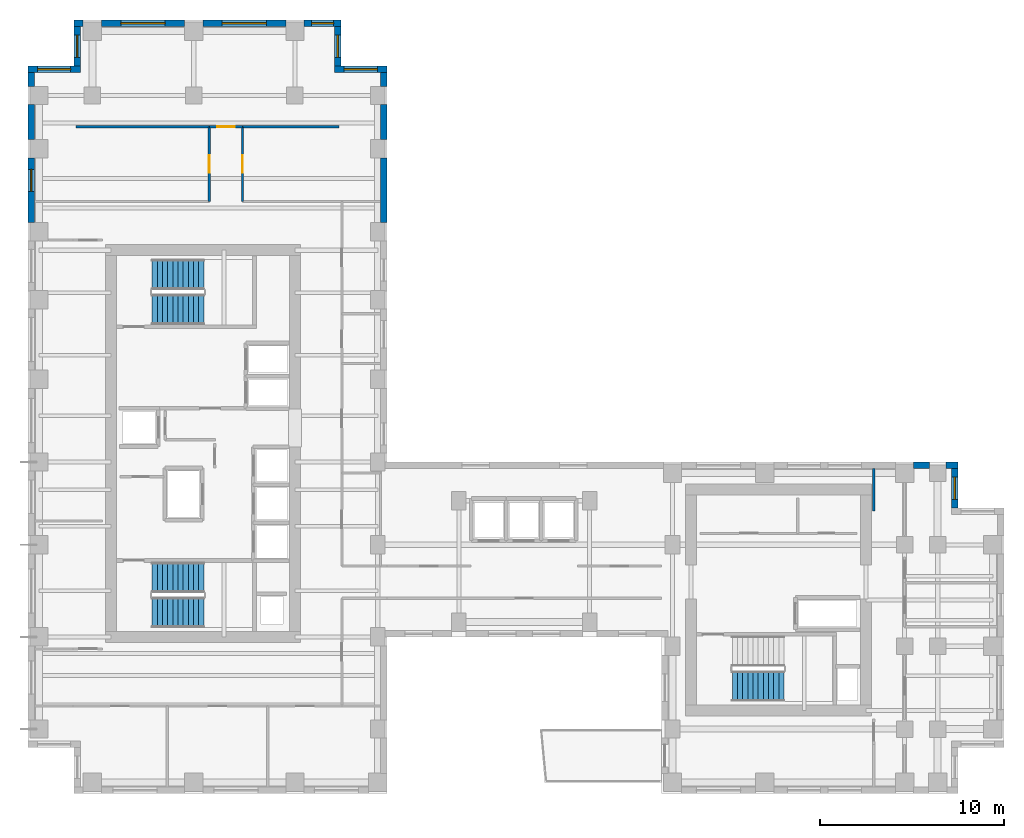
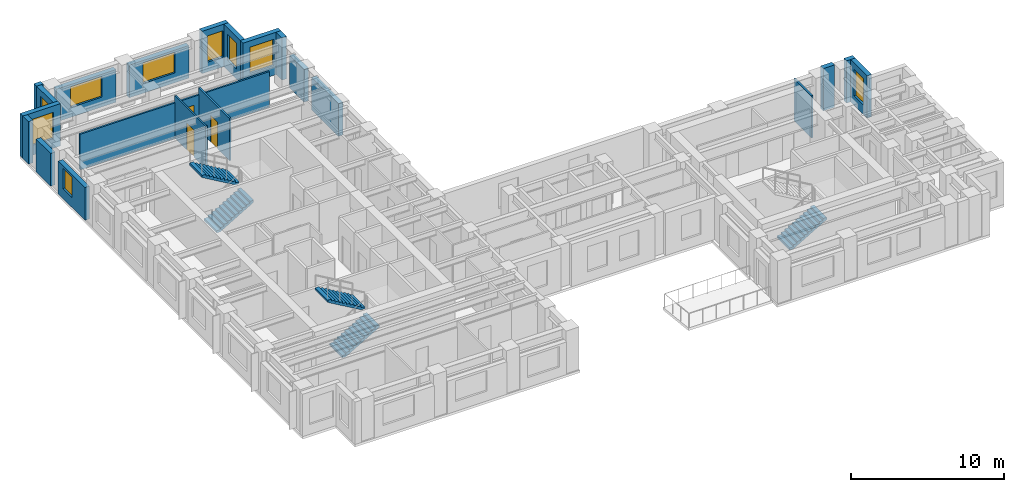
# One storey, part 8 of 12: 23 walls, 9 windows, 5 stair flights, 3 doors, 12 openings, 3 elements without a shape of their own.
"""IFC4 building model written with IfcOpenShell, lengths in metres."""

from ifc_helpers import new_model, si_unit, direction, frame, frame_2d, origin, place, context, subcontext, project, spatial, polyline, rectangle, outline, extrude, source, transform, mapped, material, layer, layer_set, type_object, element, fill, aggregate, save


model = new_model("IFC4")

# Units and contexts
model_context = context("Model", 3, precision=1e-05, world=origin(), true_north=direction((0.0, 1.0)))
body_context = subcontext(model_context, "Body", "Model", "MODEL_VIEW")
ifc_project = project(units=[si_unit("LENGTHUNIT", "METRE"), si_unit("AREAUNIT", "SQUARE_METRE"), si_unit("VOLUMEUNIT", "CUBIC_METRE"), si_unit("PLANEANGLEUNIT", "RADIAN"), si_unit("MASSUNIT", "GRAM", prefix="KILO")], contexts=[model_context])

# Site, building, storey
site_placement = place(None, origin())
site = spatial("IfcSite", under=ifc_project, at=site_placement, CompositionType="ELEMENT")
building_placement = place(site_placement, origin())
building = spatial("IfcBuilding", under=site, at=building_placement, Name="Kharzan Plaza Tower", CompositionType="ELEMENT")
storey_placement = place(building_placement, frame((0.0, 0.0, 164.699951171875)))
storey = spatial("IfcBuildingStorey", under=building, at=storey_placement, Name="L44", CompositionType="ELEMENT", Elevation=164.699951171875)

# Wall, opening, window
ifc_material_1 = material(Name="Concrete C40/50", Category="concrete")
ifc_layer_1 = layer(ifc_material_1, 0.35009765625)
ifc_layer_set_1 = layer_set([ifc_layer_1], Name="Concrete C40/50")
wall_type_1 = type_object("IfcWallType", Name="WL-EXT-MAS-Z3", PredefinedType="SOLIDWALL", material=ifc_layer_set_1)
wall_1_placement = place(storey_placement, frame((19.5, 39.324951171875, 0.0), z_axis=(0.0, 0.0, 1.0), x_axis=(-1.0, 0.0, 0.0)))
wall_1 = element("IfcWall", 1, at=wall_1_placement, inside=storey, type_object=wall_type_1, Name="L44 Masonry-Frame Exterior Wall 01", PredefinedType="SOLIDWALL", context=body_context, shape_type="SweptSolid", body=[
    extrude(rectangle(XDim=2.85009765625, YDim=0.35009765625, at=frame_2d((1.425048828125, 0.0))), origin(), (0.0, 0.0, 1.0), 3.385009765625),
])
opening_1_placement = place(wall_1_placement, frame((0.52490234375, 0.0, 0.780029296875)))
opening_1 = element("IfcOpeningElement", 2, at=opening_1_placement, cuts=wall_1, Name="Opening W1", PredefinedType="OPENING", context=body_context, shape_type="SweptSolid", body=[
    extrude(rectangle(XDim=1.800048828125, YDim=2.10009765625, at=frame_2d((0.89990234375, 1.050048828125))), frame((0.0, 0.18505859375, 0.0), z_axis=(0.0, -1.0, 0.0), x_axis=(1.0, 0.0, 0.0)), (0.0, 0.0, 1.0), 0.3701171875),
])
ifc_material_2 = material(Name="Low-E Double Glazing", Category="glass")
window_type_1 = type_object("IfcWindowType", Name="WN-REC-1800x2100", PartitioningType="SINGLE_PANEL", PredefinedType="WINDOW", material=ifc_material_2)
shared_shape_1 = source(origin(), body_context, "Body", "SweptSolid", [
    extrude(rectangle(XDim=1.800048828125, YDim=2.10009765625, at=frame_2d((0.89990234375, 1.050048828125))), frame((0.0, 0.030029296875, 0.0), z_axis=(0.0, -1.0, 0.0), x_axis=(1.0, 0.0, 0.0)), (0.0, 0.0, 1.0), 0.06005859375),
])
window_1_placement = place(opening_1_placement, origin())
window_1 = element("IfcWindow", 3, at=window_1_placement, inside=storey, type_object=window_type_1, Name="L44 Recessed Solar-Control Window 01-1", OverallHeight=2.10009765625, OverallWidth=1.800048828125, PartitioningType="SINGLE_PANEL", PredefinedType="WINDOW", context=body_context, shape_type="MappedRepresentation", body=[
    mapped(shared_shape_1, transform((0.0, 0.0, 0.0), x_axis=(1.0, 0.0, 0.0), y_axis=(0.0, 1.0, 0.0), z_axis=(0.0, 0.0, 1.0))),
])
fill(opening_1, window_1)

wall_2_placement = place(storey_placement, frame((16.824951171875, 39.498046875, 0.0), z_axis=(0.0, 0.0, 1.0), x_axis=(0.0, 1.0, 0.0)))
wall_2 = element("IfcWall", 4, at=wall_2_placement, inside=storey, type_object=wall_type_1, Name="L44 Masonry-Frame Exterior Wall 02", PredefinedType="SOLIDWALL", context=body_context, shape_type="SweptSolid", body=[
    extrude(rectangle(XDim=2.154052734375, YDim=0.35009765625, at=frame_2d((1.0771484375, 0.0))), origin(), (0.0, 0.0, 1.0), 3.385009765625),
])
opening_2_placement = place(wall_2_placement, frame((0.47705078125, 0.0, 0.780029296875)))
opening_2 = element("IfcOpeningElement", 5, at=opening_2_placement, cuts=wall_2, Name="Opening W3", PredefinedType="OPENING", context=body_context, shape_type="SweptSolid", body=[
    extrude(rectangle(XDim=1.199951171875, YDim=2.10009765625, at=frame_2d((0.60009765625, 1.050048828125))), frame((0.0, 0.18505859375, 0.0), z_axis=(0.0, -1.0, 0.0), x_axis=(1.0, 0.0, 0.0)), (0.0, 0.0, 1.0), 0.3701171875),
])
window_type_2 = type_object("IfcWindowType", Name="WN-REC-1200x2100", PartitioningType="SINGLE_PANEL", PredefinedType="WINDOW", material=ifc_material_2)
shared_shape_2 = source(origin(), body_context, "Body", "SweptSolid", [
    extrude(rectangle(XDim=1.199951171875, YDim=2.10009765625, at=frame_2d((0.60009765625, 1.050048828125))), frame((0.0, 0.030029296875, 0.0), z_axis=(0.0, -1.0, 0.0), x_axis=(1.0, 0.0, 0.0)), (0.0, 0.0, 1.0), 0.06005859375),
])
window_2_placement = place(opening_2_placement, origin())
window_2 = element("IfcWindow", 6, at=window_2_placement, inside=storey, type_object=window_type_2, Name="L44 Recessed Solar-Control Window 02-1", OverallHeight=2.10009765625, OverallWidth=1.199951171875, PartitioningType="SINGLE_PANEL", PredefinedType="WINDOW", context=body_context, shape_type="MappedRepresentation", body=[
    mapped(shared_shape_2, transform((0.0, 0.0, 0.0), x_axis=(1.0, 0.0, 0.0), y_axis=(0.0, 1.0, 0.0), z_axis=(0.0, 0.0, 1.0))),
])
fill(opening_2, window_2)

wall_3_placement = place(storey_placement, frame((17.0, 41.824951171875, 0.0), z_axis=(0.0, 0.0, 1.0), x_axis=(-1.0, 0.0, 0.0)))
wall_3 = element("IfcWall", 7, at=wall_3_placement, inside=storey, type_object=wall_type_1, Name="L44 Masonry-Frame Exterior Wall 03", PredefinedType="SOLIDWALL", context=body_context, shape_type="SweptSolid", body=[
    extrude(rectangle(XDim=2.001953125, YDim=0.35009765625, at=frame_2d((1.0009765625, 0.0))), origin(), (0.0, 0.0, 1.0), 3.385009765625),
])
opening_3_placement = place(wall_3_placement, frame((0.40087890625, 0.0, 0.780029296875)))
opening_3 = element("IfcOpeningElement", 8, at=opening_3_placement, cuts=wall_3, Name="Opening W3", PredefinedType="OPENING", context=body_context, shape_type="SweptSolid", body=[
    extrude(rectangle(XDim=1.199951171875, YDim=2.10009765625, at=frame_2d((0.60009765625, 1.050048828125))), frame((0.0, 0.18505859375, 0.0), z_axis=(0.0, -1.0, 0.0), x_axis=(1.0, 0.0, 0.0)), (0.0, 0.0, 1.0), 0.3701171875),
])
window_3_placement = place(opening_3_placement, origin())
window_3 = element("IfcWindow", 9, at=window_3_placement, inside=storey, type_object=window_type_2, Name="L44 Recessed Solar-Control Window 03-1", OverallHeight=2.10009765625, OverallWidth=1.199951171875, PartitioningType="SINGLE_PANEL", PredefinedType="WINDOW", context=body_context, shape_type="MappedRepresentation", body=[
    mapped(shared_shape_2, transform((0.0, 0.0, 0.0), x_axis=(1.0, 0.0, 0.0), y_axis=(0.0, 1.0, 0.0), z_axis=(0.0, 0.0, 1.0))),
])
fill(opening_3, window_3)

wall_4_placement = place(storey_placement, frame((14.001953125, 41.824951171875, 0.0), z_axis=(0.0, 0.0, 1.0), x_axis=(-1.0, 0.0, 0.0)))
wall_4 = element("IfcWall", 10, at=wall_4_placement, inside=storey, type_object=wall_type_1, Name="L44 Masonry-Frame Exterior Wall 04", PredefinedType="SOLIDWALL", context=body_context, shape_type="SweptSolid", body=[
    extrude(rectangle(XDim=4.50390625, YDim=0.35009765625, at=frame_2d((2.251953125, 0.0))), origin(), (0.0, 0.0, 1.0), 2.612060546875),
])
opening_4_placement = place(wall_4_placement, frame((1.052001953125, 0.0, 0.780029296875)))
opening_4 = element("IfcOpeningElement", 11, at=opening_4_placement, cuts=wall_4, Name="Opening W2", PredefinedType="OPENING", context=body_context, shape_type="SweptSolid", body=[
    extrude(rectangle(XDim=2.39990234375, YDim=1.652099609375, at=frame_2d((1.199951171875, 0.826171875))), frame((0.0, 0.18505859375, 0.0), z_axis=(0.0, -1.0, 0.0), x_axis=(1.0, 0.0, 0.0)), (0.0, 0.0, 1.0), 0.3701171875),
])
window_type_3 = type_object("IfcWindowType", Name="WN-REC-2400x2100", PartitioningType="SINGLE_PANEL", PredefinedType="WINDOW", material=ifc_material_2)
shared_shape_3 = source(origin(), body_context, "Body", "SweptSolid", [
    extrude(rectangle(XDim=2.39990234375, YDim=1.652099609375, at=frame_2d((1.199951171875, 0.826171875))), frame((0.0, 0.030029296875, 0.0), z_axis=(0.0, -1.0, 0.0), x_axis=(1.0, 0.0, 0.0)), (0.0, 0.0, 1.0), 0.06005859375),
])
window_4_placement = place(opening_4_placement, origin())
window_4 = element("IfcWindow", 12, at=window_4_placement, inside=storey, type_object=window_type_3, Name="L44 Wide Recessed Solar-Control Window 04-1", OverallHeight=1.652099609375, OverallWidth=2.39990234375, PartitioningType="SINGLE_PANEL", PredefinedType="WINDOW", context=body_context, shape_type="MappedRepresentation", body=[
    mapped(shared_shape_3, transform((0.0, 0.0, 0.0), x_axis=(1.0, 0.0, 0.0), y_axis=(0.0, 1.0, 0.0), z_axis=(0.0, 0.0, 1.0))),
])
fill(opening_4, window_4)

wall_5_placement = place(storey_placement, frame((8.501953125, 41.824951171875, 0.0), z_axis=(0.0, 0.0, 1.0), x_axis=(-1.0, 0.0, 0.0)))
wall_5 = element("IfcWall", 13, at=wall_5_placement, inside=storey, type_object=wall_type_1, Name="L44 Masonry-Frame Exterior Wall 05", PredefinedType="SOLIDWALL", context=body_context, shape_type="SweptSolid", body=[
    extrude(rectangle(XDim=4.50390625, YDim=0.35009765625, at=frame_2d((2.251953125, 0.0))), origin(), (0.0, 0.0, 1.0), 2.612060546875),
])
opening_5_placement = place(wall_5_placement, frame((1.052001953125, 0.0, 0.780029296875)))
opening_5 = element("IfcOpeningElement", 14, at=opening_5_placement, cuts=wall_5, Name="Opening W2", PredefinedType="OPENING", context=body_context, shape_type="SweptSolid", body=[
    extrude(rectangle(XDim=2.39990234375, YDim=1.652099609375, at=frame_2d((1.199951171875, 0.826171875))), frame((0.0, 0.18505859375, 0.0), z_axis=(0.0, -1.0, 0.0), x_axis=(1.0, 0.0, 0.0)), (0.0, 0.0, 1.0), 0.3701171875),
])
window_5_placement = place(opening_5_placement, origin())
window_5 = element("IfcWindow", 15, at=window_5_placement, inside=storey, type_object=window_type_3, Name="L44 Wide Recessed Solar-Control Window 05-1", OverallHeight=1.652099609375, OverallWidth=2.39990234375, PartitioningType="SINGLE_PANEL", PredefinedType="WINDOW", context=body_context, shape_type="MappedRepresentation", body=[
    mapped(shared_shape_3, transform((0.0, 0.0, 0.0), x_axis=(1.0, 0.0, 0.0), y_axis=(0.0, 1.0, 0.0), z_axis=(0.0, 0.0, 1.0))),
])
fill(opening_5, window_5)

wall_6_placement = place(storey_placement, frame((2.675048828125, 41.652099609375, 0.0), z_axis=(0.0, 0.0, 1.0), x_axis=(0.0, -1.0, 0.0)))
wall_6 = element("IfcWall", 16, at=wall_6_placement, inside=storey, type_object=wall_type_1, Name="L44 Masonry-Frame Exterior Wall 07", PredefinedType="SOLIDWALL", context=body_context, shape_type="SweptSolid", body=[
    extrude(rectangle(XDim=2.154052734375, YDim=0.35009765625, at=frame_2d((1.0771484375, 0.0))), origin(), (0.0, 0.0, 1.0), 3.385009765625),
])
opening_6_placement = place(wall_6_placement, frame((0.47705078125, 0.0, 0.780029296875)))
opening_6 = element("IfcOpeningElement", 17, at=opening_6_placement, cuts=wall_6, Name="Opening W3", PredefinedType="OPENING", context=body_context, shape_type="SweptSolid", body=[
    extrude(rectangle(XDim=1.199951171875, YDim=2.10009765625, at=frame_2d((0.60009765625, 1.050048828125))), frame((0.0, 0.18505859375, 0.0), z_axis=(0.0, -1.0, 0.0), x_axis=(1.0, 0.0, 0.0)), (0.0, 0.0, 1.0), 0.3701171875),
])
window_6_placement = place(opening_6_placement, origin())
window_6 = element("IfcWindow", 18, at=window_6_placement, inside=storey, type_object=window_type_2, Name="L44 Recessed Solar-Control Window 07-1", OverallHeight=2.10009765625, OverallWidth=1.199951171875, PartitioningType="SINGLE_PANEL", PredefinedType="WINDOW", context=body_context, shape_type="MappedRepresentation", body=[
    mapped(shared_shape_2, transform((0.0, 0.0, 0.0), x_axis=(1.0, 0.0, 0.0), y_axis=(0.0, 1.0, 0.0), z_axis=(0.0, 0.0, 1.0))),
])
fill(opening_6, window_6)

wall_7_placement = place(storey_placement, frame((2.85009765625, 39.324951171875, 0.0), z_axis=(0.0, 0.0, 1.0), x_axis=(-1.0, 0.0, 0.0)))
wall_7 = element("IfcWall", 19, at=wall_7_placement, inside=storey, type_object=wall_type_1, Name="L44 Masonry-Frame Exterior Wall 08", PredefinedType="SOLIDWALL", context=body_context, shape_type="SweptSolid", body=[
    extrude(rectangle(XDim=2.85009765625, YDim=0.35009765625, at=frame_2d((1.425048828125, 0.0))), origin(), (0.0, 0.0, 1.0), 3.385009765625),
])
opening_7_placement = place(wall_7_placement, frame((0.52490234375, 0.0, 0.780029296875)))
opening_7 = element("IfcOpeningElement", 20, at=opening_7_placement, cuts=wall_7, Name="Opening W1", PredefinedType="OPENING", context=body_context, shape_type="SweptSolid", body=[
    extrude(rectangle(XDim=1.800048828125, YDim=2.10009765625, at=frame_2d((0.89990234375, 1.050048828125))), frame((0.0, 0.18505859375, 0.0), z_axis=(0.0, -1.0, 0.0), x_axis=(1.0, 0.0, 0.0)), (0.0, 0.0, 1.0), 0.3701171875),
])
window_7_placement = place(opening_7_placement, origin())
window_7 = element("IfcWindow", 21, at=window_7_placement, inside=storey, type_object=window_type_1, Name="L44 Recessed Solar-Control Window 08-1", OverallHeight=2.10009765625, OverallWidth=1.800048828125, PartitioningType="SINGLE_PANEL", PredefinedType="WINDOW", context=body_context, shape_type="MappedRepresentation", body=[
    mapped(shared_shape_1, transform((0.0, 0.0, 0.0), x_axis=(1.0, 0.0, 0.0), y_axis=(0.0, 1.0, 0.0), z_axis=(0.0, 0.0, 1.0))),
])
fill(opening_7, window_7)

wall_8_placement = place(storey_placement, frame((0.175048828125, 34.501953125, 0.0), z_axis=(0.0, 0.0, 1.0), x_axis=(0.0, -1.0, 0.0)))
wall_8 = element("IfcWall", 22, at=wall_8_placement, inside=storey, type_object=wall_type_1, Name="L44 Masonry-Frame Exterior Wall 11", PredefinedType="SOLIDWALL", context=body_context, shape_type="SweptSolid", body=[
    extrude(rectangle(XDim=3.50390625, YDim=0.35009765625, at=frame_2d((1.751953125, 0.0))), origin(), (0.0, 0.0, 1.0), 2.612060546875),
])
opening_8_placement = place(wall_8_placement, frame((0.611083984375, 0.0, 0.780029296875)))
opening_8 = element("IfcOpeningElement", 23, at=opening_8_placement, cuts=wall_8, Name="Opening W3", PredefinedType="OPENING", context=body_context, shape_type="SweptSolid", body=[
    extrude(rectangle(XDim=1.199951171875, YDim=1.652099609375, at=frame_2d((0.60009765625, 0.826171875))), frame((0.0, 0.18505859375, 0.0), z_axis=(0.0, -1.0, 0.0), x_axis=(1.0, 0.0, 0.0)), (0.0, 0.0, 1.0), 0.3701171875),
])
shared_shape_4 = source(origin(), body_context, "Body", "SweptSolid", [
    extrude(rectangle(XDim=1.199951171875, YDim=1.652099609375, at=frame_2d((0.60009765625, 0.826171875))), frame((0.0, 0.030029296875, 0.0), z_axis=(0.0, -1.0, 0.0), x_axis=(1.0, 0.0, 0.0)), (0.0, 0.0, 1.0), 0.06005859375),
])
window_8_placement = place(opening_8_placement, origin())
window_8 = element("IfcWindow", 24, at=window_8_placement, inside=storey, type_object=window_type_2, Name="L44 Recessed Solar-Control Window 11-1", OverallHeight=1.652099609375, OverallWidth=1.199951171875, PartitioningType="SINGLE_PANEL", PredefinedType="WINDOW", context=body_context, shape_type="MappedRepresentation", body=[
    mapped(shared_shape_4, transform((0.0, 0.0, 0.0), x_axis=(1.0, 0.0, 0.0), y_axis=(0.0, 1.0, 0.0), z_axis=(0.0, 0.0, 1.0))),
])
fill(opening_8, window_8)

wall_9_placement = place(storey_placement, frame((50.324951171875, 15.498046875, 0.0), z_axis=(0.0, 0.0, 1.0), x_axis=(0.0, 1.0, 0.0)))
wall_9 = element("IfcWall", 25, at=wall_9_placement, inside=storey, type_object=wall_type_1, Name="L44 Masonry-Frame Exterior Wall 41", PredefinedType="SOLIDWALL", context=body_context, shape_type="SweptSolid", body=[
    extrude(rectangle(XDim=2.154052734375, YDim=0.35009765625, at=frame_2d((1.0771484375, 0.0))), origin(), (0.0, 0.0, 1.0), 3.385009765625),
])
opening_9_placement = place(wall_9_placement, frame((0.47705078125, 0.0, 0.780029296875)))
opening_9 = element("IfcOpeningElement", 26, at=opening_9_placement, cuts=wall_9, Name="Opening W3", PredefinedType="OPENING", context=body_context, shape_type="SweptSolid", body=[
    extrude(rectangle(XDim=1.199951171875, YDim=2.10009765625, at=frame_2d((0.60009765625, 1.050048828125))), frame((0.0, 0.18505859375, 0.0), z_axis=(0.0, -1.0, 0.0), x_axis=(1.0, 0.0, 0.0)), (0.0, 0.0, 1.0), 0.3701171875),
])
window_9_placement = place(opening_9_placement, origin())
window_9 = element("IfcWindow", 27, at=window_9_placement, inside=storey, type_object=window_type_2, Name="L44 Recessed Solar-Control Window 41-1", OverallHeight=2.10009765625, OverallWidth=1.199951171875, PartitioningType="SINGLE_PANEL", PredefinedType="WINDOW", context=body_context, shape_type="MappedRepresentation", body=[
    mapped(shared_shape_2, transform((0.0, 0.0, 0.0), x_axis=(1.0, 0.0, 0.0), y_axis=(0.0, 1.0, 0.0), z_axis=(0.0, 0.0, 1.0))),
])
fill(opening_9, window_9)

# Wall, opening, door
ifc_material_3 = material(Name="Fire-Rated Gypsum Board Partition", Category="gypsum")
ifc_layer_2 = layer(ifc_material_3, 0.125)
ifc_layer_set_2 = layer_set([ifc_layer_2], Name="Fire-Rated Gypsum Board Partition")
wall_type_2 = type_object("IfcWallType", Name="WL-INT-PART-125", PredefinedType="PARTITIONING", material=ifc_layer_set_2)
wall_10_placement = place(storey_placement, frame((11.64990234375, 32.14990234375, 0.0), z_axis=(0.0, 0.0, 1.0), x_axis=(0.0, 1.0, 0.0)))
wall_10 = element("IfcWall", 28, at=wall_10_placement, inside=storey, type_object=wall_type_2, Name="L44 Interior Partition SH-SPE-1", PredefinedType="PARTITIONING", context=body_context, shape_type="SweptSolid", body=[
    extrude(rectangle(XDim=4.050048828125, YDim=0.125, at=frame_2d((2.02490234375, 0.0))), origin(), (0.0, 0.0, 1.0), 3.385009765625),
])
opening_10_placement = place(wall_10_placement, frame((1.550048828125, 0.0, 0.0)))
opening_10 = element("IfcOpeningElement", 29, at=opening_10_placement, cuts=wall_10, Name="Opening OD1", PredefinedType="OPENING", context=body_context, shape_type="SweptSolid", body=[
    extrude(rectangle(XDim=0.949951171875, YDim=2.14990234375, at=frame_2d((0.47509765625, 1.074951171875))), frame((0.0, 0.072509765625, 0.0), z_axis=(0.0, -1.0, 0.0), x_axis=(1.0, 0.0, 0.0)), (0.0, 0.0, 1.0), 0.14501953125),
])
ifc_material_4 = material(Name="Acoustic Solid-Core Stained Oak", Category="timber")
door_type = type_object("IfcDoorType", Name="DR-OFF-SINGLE", OperationType="NOTDEFINED", PredefinedType="DOOR", material=ifc_material_4)
shared_shape_5 = source(origin(), body_context, "Body", "SweptSolid", [
    extrude(rectangle(XDim=0.949951171875, YDim=2.14990234375, at=frame_2d((0.47509765625, 1.074951171875))), frame((0.0, 0.02490234375, 0.0), z_axis=(0.0, -1.0, 0.0), x_axis=(1.0, 0.0, 0.0)), (0.0, 0.0, 1.0), 0.050048828125),
])
door_1_placement = place(opening_10_placement, origin())
door_1 = element("IfcDoor", 30, at=door_1_placement, inside=storey, type_object=door_type, Name="L44 Treasury Operations Office Door", OperationType="SINGLE_SWING_RIGHT", OverallHeight=2.14990234375, OverallWidth=0.949951171875, PredefinedType="DOOR", context=body_context, shape_type="MappedRepresentation", body=[
    mapped(shared_shape_5, transform((0.0, 0.0, 0.0), x_axis=(1.0, 0.0, 0.0), y_axis=(0.0, 1.0, 0.0), z_axis=(0.0, 0.0, 1.0))),
])
fill(opening_10, door_1)

wall_11_placement = place(storey_placement, frame((9.85009765625, 36.199951171875, 0.0), z_axis=(0.0, 0.0, 1.0), x_axis=(1.0, 0.0, 0.0)))
wall_11 = element("IfcWall", 31, at=wall_11_placement, inside=storey, type_object=wall_type_2, Name="L44 Interior Partition SH-SPHD", PredefinedType="PARTITIONING", context=body_context, shape_type="SweptSolid", body=[
    extrude(rectangle(XDim=1.7998046875, YDim=0.125, at=frame_2d((0.89990234375, 0.0))), origin(), (0.0, 0.0, 1.0), 2.84814453125),
])
opening_11_placement = place(wall_11_placement, frame((0.425048828125, 0.0, 0.0)))
opening_11 = element("IfcOpeningElement", 32, at=opening_11_placement, cuts=wall_11, Name="Opening OD1", PredefinedType="OPENING", context=body_context, shape_type="SweptSolid", body=[
    extrude(rectangle(XDim=0.949951171875, YDim=2.14990234375, at=frame_2d((0.47509765625, 1.074951171875))), frame((0.0, 0.072509765625, 0.0), z_axis=(0.0, -1.0, 0.0), x_axis=(1.0, 0.0, 0.0)), (0.0, 0.0, 1.0), 0.14501953125),
])
door_2_placement = place(opening_11_placement, origin())
door_2 = element("IfcDoor", 33, at=door_2_placement, inside=storey, type_object=door_type, Name="L44 North Boardroom Door", OperationType="SINGLE_SWING_LEFT", OverallHeight=2.14990234375, OverallWidth=0.949951171875, PredefinedType="DOOR", context=body_context, shape_type="MappedRepresentation", body=[
    mapped(shared_shape_5, transform((0.0, 0.0, 0.0), x_axis=(1.0, 0.0, 0.0), y_axis=(0.0, 1.0, 0.0), z_axis=(0.0, 0.0, 1.0))),
])
fill(opening_11, door_2)

wall_12_placement = place(storey_placement, frame((9.85009765625, 32.14990234375, 0.0), z_axis=(0.0, 0.0, 1.0), x_axis=(0.0, 1.0, 0.0)))
wall_12 = element("IfcWall", 34, at=wall_12_placement, inside=storey, type_object=wall_type_2, Name="L44 Interior Partition SH-SPW-1", PredefinedType="PARTITIONING", context=body_context, shape_type="SweptSolid", body=[
    extrude(rectangle(XDim=4.050048828125, YDim=0.125, at=frame_2d((2.02490234375, 0.0))), origin(), (0.0, 0.0, 1.0), 3.385009765625),
])
opening_12_placement = place(wall_12_placement, frame((1.550048828125, 0.0, 0.0)))
opening_12 = element("IfcOpeningElement", 35, at=opening_12_placement, cuts=wall_12, Name="Opening OD1", PredefinedType="OPENING", context=body_context, shape_type="SweptSolid", body=[
    extrude(rectangle(XDim=0.949951171875, YDim=2.14990234375, at=frame_2d((0.47509765625, 1.074951171875))), frame((0.0, 0.072509765625, 0.0), z_axis=(0.0, -1.0, 0.0), x_axis=(1.0, 0.0, 0.0)), (0.0, 0.0, 1.0), 0.14501953125),
])
door_3_placement = place(opening_12_placement, origin())
door_3 = element("IfcDoor", 36, at=door_3_placement, inside=storey, type_object=door_type, Name="L44 Port Logistics Office Door", OperationType="SINGLE_SWING_LEFT", OverallHeight=2.14990234375, OverallWidth=0.949951171875, PredefinedType="DOOR", context=body_context, shape_type="MappedRepresentation", body=[
    mapped(shared_shape_5, transform((0.0, 0.0, 0.0), x_axis=(1.0, 0.0, 0.0), y_axis=(0.0, 1.0, 0.0), z_axis=(0.0, 0.0, 1.0))),
])
fill(opening_12, door_3)

# Walls
shared_shape_6 = source(origin(), body_context, "Body", "SweptSolid", [
    extrude(rectangle(XDim=0.501953125, YDim=0.35009765625, at=frame_2d((0.2509765625, 0.0))), origin(), (0.0, 0.0, 1.0), 3.385009765625),
])
wall_13_placement = place(storey_placement, frame((3.001953125, 41.824951171875, 0.0), z_axis=(0.0, 0.0, 1.0), x_axis=(-1.0, 0.0, 0.0)))
element("IfcWall", 37, at=wall_13_placement, inside=storey, type_object=wall_type_1, Name="L44 Masonry-Frame Exterior Wall 06", PredefinedType="SOLIDWALL", context=body_context, shape_type="MappedRepresentation", body=[
    mapped(shared_shape_6, transform((0.0, 0.0, 0.0), x_axis=(1.0, 0.0, 0.0), y_axis=(0.0, 1.0, 0.0), z_axis=(0.0, 0.0, 1.0))),
])
shared_shape_7 = source(origin(), body_context, "Body", "SweptSolid", [
    extrude(rectangle(XDim=0.754150390625, YDim=0.35009765625, at=frame_2d((0.376953125, 0.0))), origin(), (0.0, 0.0, 1.0), 3.385009765625),
])
for number, where, z_axis, x_axis, name in (
    (38, (0.175048828125, 39.152099609375, 0.0), (0.0, 0.0, 1.0), (0.0, -1.0, 0.0), "L44 Masonry-Frame Exterior Wall 09"),
    (39, (19.324951171875, 38.39794921875, 0.0), (0.0, 0.0, 1.0), (0.0, 1.0, 0.0), "L44 Masonry-Frame Exterior Wall 52"),
):
    element("IfcWall", number, at=place(storey_placement, frame(where, z_axis=z_axis, x_axis=x_axis)), inside=storey, type_object=wall_type_1, Name=name, PredefinedType="SOLIDWALL", context=body_context, shape_type="MappedRepresentation", body=[
        mapped(shared_shape_7, transform((0.0, 0.0, 0.0), x_axis=(1.0, 0.0, 0.0), y_axis=(0.0, 1.0, 0.0), z_axis=(0.0, 0.0, 1.0))),
    ])
shared_shape_8 = source(origin(), body_context, "Body", "SweptSolid", [
    extrude(rectangle(XDim=0.652099609375, YDim=0.35009765625, at=frame_2d((0.326171875, 0.0))), origin(), (0.0, 0.0, 1.0), 3.385009765625),
])
wall_14_placement = place(storey_placement, frame((50.5, 17.824951171875, 0.0), z_axis=(0.0, 0.0, 1.0), x_axis=(-1.0, 0.0, 0.0)))
element("IfcWall", 40, at=wall_14_placement, inside=storey, type_object=wall_type_1, Name="L44 Masonry-Frame Exterior Wall 42", PredefinedType="SOLIDWALL", context=body_context, shape_type="MappedRepresentation", body=[
    mapped(shared_shape_8, transform((0.0, 0.0, 0.0), x_axis=(1.0, 0.0, 0.0), y_axis=(0.0, 1.0, 0.0), z_axis=(0.0, 0.0, 1.0))),
])
shared_shape_9 = source(origin(), body_context, "Body", "SweptSolid", [
    extrude(rectangle(XDim=0.85400390625, YDim=0.35009765625, at=frame_2d((0.427001953125, 0.0))), origin(), (0.0, 0.0, 1.0), 3.385009765625),
])
wall_15_placement = place(storey_placement, frame((48.951904296875, 17.824951171875, 0.0), z_axis=(0.0, 0.0, 1.0), x_axis=(-1.0, 0.0, 0.0)))
element("IfcWall", 41, at=wall_15_placement, inside=storey, type_object=wall_type_1, Name="L44 Masonry-Frame Exterior Wall 43", PredefinedType="SOLIDWALL", context=body_context, shape_type="MappedRepresentation", body=[
    mapped(shared_shape_9, transform((0.0, 0.0, 0.0), x_axis=(1.0, 0.0, 0.0), y_axis=(0.0, 1.0, 0.0), z_axis=(0.0, 0.0, 1.0))),
])
shared_shape_10 = source(origin(), body_context, "Body", "SweptSolid", [
    extrude(rectangle(XDim=2.2978515625, YDim=0.125, at=frame_2d((1.14892578125, 0.0))), origin(), (0.0, 0.0, 1.0), 3.385009765625),
])
wall_16_placement = place(storey_placement, frame((45.919921875, 15.35009765625, 0.0), z_axis=(0.0, 0.0, 1.0), x_axis=(0.0, 1.0, 0.0)))
element("IfcWall", 42, at=wall_16_placement, inside=storey, type_object=wall_type_2, Name="L44 Interior Partition SH-RBNE0", PredefinedType="PARTITIONING", context=body_context, shape_type="MappedRepresentation", body=[
    mapped(shared_shape_10, transform((0.0, 0.0, 0.0), x_axis=(1.0, 0.0, 0.0), y_axis=(0.0, 1.0, 0.0), z_axis=(0.0, 0.0, 1.0))),
])
shared_shape_11 = source(origin(), body_context, "Body", "SweptSolid", [
    extrude(rectangle(XDim=1.904052734375, YDim=0.35009765625, at=frame_2d((0.9521484375, 0.0))), origin(), (0.0, 0.0, 1.0), 2.612060546875),
])
for number, where, z_axis, x_axis, name in (
    (43, (0.175048828125, 37.402099609375, 0.0), (0.0, 0.0, 1.0), (0.0, -1.0, 0.0), "L44 Masonry-Frame Exterior Wall 10"),
    (44, (19.324951171875, 35.498046875, 0.0), (0.0, 0.0, 1.0), (0.0, 1.0, 0.0), "L44 Masonry-Frame Exterior Wall 51"),
):
    element("IfcWall", number, at=place(storey_placement, frame(where, z_axis=z_axis, x_axis=x_axis)), inside=storey, type_object=wall_type_1, Name=name, PredefinedType="SOLIDWALL", context=body_context, shape_type="MappedRepresentation", body=[
        mapped(shared_shape_11, transform((0.0, 0.0, 0.0), x_axis=(1.0, 0.0, 0.0), y_axis=(0.0, 1.0, 0.0), z_axis=(0.0, 0.0, 1.0))),
    ])
shared_shape_12 = source(origin(), body_context, "Body", "SweptSolid", [
    extrude(rectangle(XDim=3.50390625, YDim=0.35009765625, at=frame_2d((1.751953125, 0.0))), origin(), (0.0, 0.0, 1.0), 2.612060546875),
])
wall_17_placement = place(storey_placement, frame((19.324951171875, 30.998046875, 0.0), z_axis=(0.0, 0.0, 1.0), x_axis=(0.0, 1.0, 0.0)))
element("IfcWall", 45, at=wall_17_placement, inside=storey, type_object=wall_type_1, Name="L44 Masonry-Frame Exterior Wall 50", PredefinedType="SOLIDWALL", context=body_context, shape_type="MappedRepresentation", body=[
    mapped(shared_shape_12, transform((0.0, 0.0, 0.0), x_axis=(1.0, 0.0, 0.0), y_axis=(0.0, 1.0, 0.0), z_axis=(0.0, 0.0, 1.0))),
])
shared_shape_13 = source(origin(), body_context, "Body", "SweptSolid", [
    extrude(rectangle(XDim=5.25, YDim=0.125, at=frame_2d((2.625, 0.0))), origin(), (0.0, 0.0, 1.0), 2.84814453125),
])
wall_18_placement = place(storey_placement, frame((11.64990234375, 36.199951171875, 0.0), z_axis=(0.0, 0.0, 1.0), x_axis=(1.0, 0.0, 0.0)))
element("IfcWall", 46, at=wall_18_placement, inside=storey, type_object=wall_type_2, Name="L44 Interior Partition SH-SPHE", PredefinedType="PARTITIONING", context=body_context, shape_type="MappedRepresentation", body=[
    mapped(shared_shape_13, transform((0.0, 0.0, 0.0), x_axis=(1.0, 0.0, 0.0), y_axis=(0.0, 1.0, 0.0), z_axis=(0.0, 0.0, 1.0))),
])
shared_shape_14 = source(origin(), body_context, "Body", "SweptSolid", [
    extrude(rectangle(XDim=7.25, YDim=0.125, at=frame_2d((3.625, 0.0))), origin(), (0.0, 0.0, 1.0), 2.84814453125),
])
wall_19_placement = place(storey_placement, frame((2.60009765625, 36.199951171875, 0.0), z_axis=(0.0, 0.0, 1.0), x_axis=(1.0, 0.0, 0.0)))
element("IfcWall", 47, at=wall_19_placement, inside=storey, type_object=wall_type_2, Name="L44 Interior Partition SH-SPHW", PredefinedType="PARTITIONING", context=body_context, shape_type="MappedRepresentation", body=[
    mapped(shared_shape_14, transform((0.0, 0.0, 0.0), x_axis=(1.0, 0.0, 0.0), y_axis=(0.0, 1.0, 0.0), z_axis=(0.0, 0.0, 1.0))),
])

# Stair, stair flights
stair_type_1 = type_object("IfcStairType", Name="STR-ST-1", PredefinedType="HALF_TURN_STAIR", material=ifc_material_1)
stair_1_placement = place(storey_placement, origin())
stair_1 = element("IfcStair", 48, at=stair_1_placement, inside=storey, type_object=stair_type_1, Name="L44 Protected Exit Stair ST-1", PredefinedType="HALF_TURN_STAIR")
stair_flight_type = type_object("IfcStairFlightType", Name="SFL-1650-R173", PredefinedType="STRAIGHT", material=ifc_material_1)
shared_shape_15 = source(origin(), body_context, "Body", "SweptSolid", [
    extrude(outline(polyline([(-0.0029296875, -0.011962890625), (-0.0029296875, 0.0), (0.0, 0.0), (0.0, 0.16357421875), (0.280029296875, 0.16357421875), (0.280029296875, 0.3271484375), (0.56005859375, 0.3271484375), (0.56005859375, 0.49072265625), (0.840087890625, 0.49072265625), (0.840087890625, 0.654296875), (1.1201171875, 0.654296875), (1.1201171875, 0.81787109375), (1.400146484375, 0.81787109375), (1.400146484375, 0.9814453125), (1.68017578125, 0.9814453125), (1.68017578125, 1.14501953125), (1.960205078125, 1.14501953125), (1.960205078125, 1.30859375), (2.240234375, 1.30859375), (2.240234375, 1.47216796875), (2.520263671875, 1.47216796875), (2.520263671875, 1.6357421875), (2.80029296875, 1.6357421875), (2.80029296875, 1.79931640625), (2.80029296875, 1.462158203125), (0.297119140625, 0.0), (0.297119140625, -0.011962890625), (-0.0029296875, -0.011962890625)])), frame((0.0, 0.824951171875, 0.0), z_axis=(0.0, -1.0, 0.0), x_axis=(1.0, 0.0, 0.0)), (0.0, 0.0, 1.0), 1.64990234375),
])
stair_flight_1_placement = place(storey_placement, frame((6.75, 9.824951171875, 0.0), z_axis=(0.0, 0.0, 1.0), x_axis=(1.0, 0.0, 0.0)))
stair_flight_1 = element("IfcStairFlight", 49, at=stair_flight_1_placement, type_object=stair_flight_type, Name="ST-1 flight 1", NumberOfRisers=11, NumberOfTreads=10, PredefinedType="STRAIGHT", RiserHeight=0.163636364, TreadLength=0.28, context=body_context, shape_type="MappedRepresentation", body=[
    mapped(shared_shape_15, transform((0.0, 0.0, 0.0), x_axis=(1.0, 0.0, 0.0), y_axis=(0.0, 1.0, 0.0), z_axis=(0.0, 0.0, 1.0))),
])
stair_flight_2_placement = place(storey_placement, frame((9.550048828125, 11.72509765625, 1.800048828125), z_axis=(0.0, 0.0, 1.0), x_axis=(-1.0, 0.0, 0.0)))
stair_flight_2 = element("IfcStairFlight", 50, at=stair_flight_2_placement, type_object=stair_flight_type, Name="ST-1 flight 2", NumberOfRisers=11, NumberOfTreads=10, PredefinedType="STRAIGHT", RiserHeight=0.163636364, TreadLength=0.28, context=body_context, shape_type="MappedRepresentation", body=[
    mapped(shared_shape_15, transform((0.0, 0.0, 0.0), x_axis=(1.0, 0.0, 0.0), y_axis=(0.0, 1.0, 0.0), z_axis=(0.0, 0.0, 1.0))),
])
aggregate(stair_1, [stair_flight_1, stair_flight_2])

stair_type_2 = type_object("IfcStairType", Name="STR-ST-2", PredefinedType="HALF_TURN_STAIR", material=ifc_material_1)
stair_2_placement = place(storey_placement, origin())
stair_2 = element("IfcStair", 51, at=stair_2_placement, inside=storey, type_object=stair_type_2, Name="L44 Protected Exit Stair ST-2", PredefinedType="HALF_TURN_STAIR")
stair_flight_3_placement = place(storey_placement, frame((6.75, 26.27490234375, 0.0), z_axis=(0.0, 0.0, 1.0), x_axis=(1.0, 0.0, 0.0)))
stair_flight_3 = element("IfcStairFlight", 52, at=stair_flight_3_placement, type_object=stair_flight_type, Name="ST-2 flight 1", NumberOfRisers=11, NumberOfTreads=10, PredefinedType="STRAIGHT", RiserHeight=0.163636364, TreadLength=0.28, context=body_context, shape_type="MappedRepresentation", body=[
    mapped(shared_shape_15, transform((0.0, 0.0, 0.0), x_axis=(1.0, 0.0, 0.0), y_axis=(0.0, 1.0, 0.0), z_axis=(0.0, 0.0, 1.0))),
])
stair_flight_4_placement = place(storey_placement, frame((9.550048828125, 28.175048828125, 1.800048828125), z_axis=(0.0, 0.0, 1.0), x_axis=(-1.0, 0.0, 0.0)))
stair_flight_4 = element("IfcStairFlight", 53, at=stair_flight_4_placement, type_object=stair_flight_type, Name="ST-2 flight 2", NumberOfRisers=11, NumberOfTreads=10, PredefinedType="STRAIGHT", RiserHeight=0.163636364, TreadLength=0.28, context=body_context, shape_type="MappedRepresentation", body=[
    mapped(shared_shape_15, transform((0.0, 0.0, 0.0), x_axis=(1.0, 0.0, 0.0), y_axis=(0.0, 1.0, 0.0), z_axis=(0.0, 0.0, 1.0))),
])
aggregate(stair_2, [stair_flight_3, stair_flight_4])

# Stair, stair flight
stair_type_3 = type_object("IfcStairType", Name="STR-ST-3", PredefinedType="HALF_TURN_STAIR", material=ifc_material_1)
stair_3_placement = place(storey_placement, origin())
stair_3 = element("IfcStair", 54, at=stair_3_placement, inside=storey, type_object=stair_type_3, Name="L44 Protected Exit Stair ST-3", PredefinedType="HALF_TURN_STAIR")
stair_flight_5_placement = place(storey_placement, frame((38.25, 5.824951171875, 0.0), z_axis=(0.0, 0.0, 1.0), x_axis=(1.0, 0.0, 0.0)))
stair_flight_5 = element("IfcStairFlight", 55, at=stair_flight_5_placement, type_object=stair_flight_type, Name="ST-3 flight 1", NumberOfRisers=11, NumberOfTreads=10, PredefinedType="STRAIGHT", RiserHeight=0.163636364, TreadLength=0.28, context=body_context, shape_type="MappedRepresentation", body=[
    mapped(shared_shape_15, transform((0.0, 0.0, 0.0), x_axis=(1.0, 0.0, 0.0), y_axis=(0.0, 1.0, 0.0), z_axis=(0.0, 0.0, 1.0))),
])
aggregate(stair_3, [stair_flight_5])

save(model, "model.ifc")
